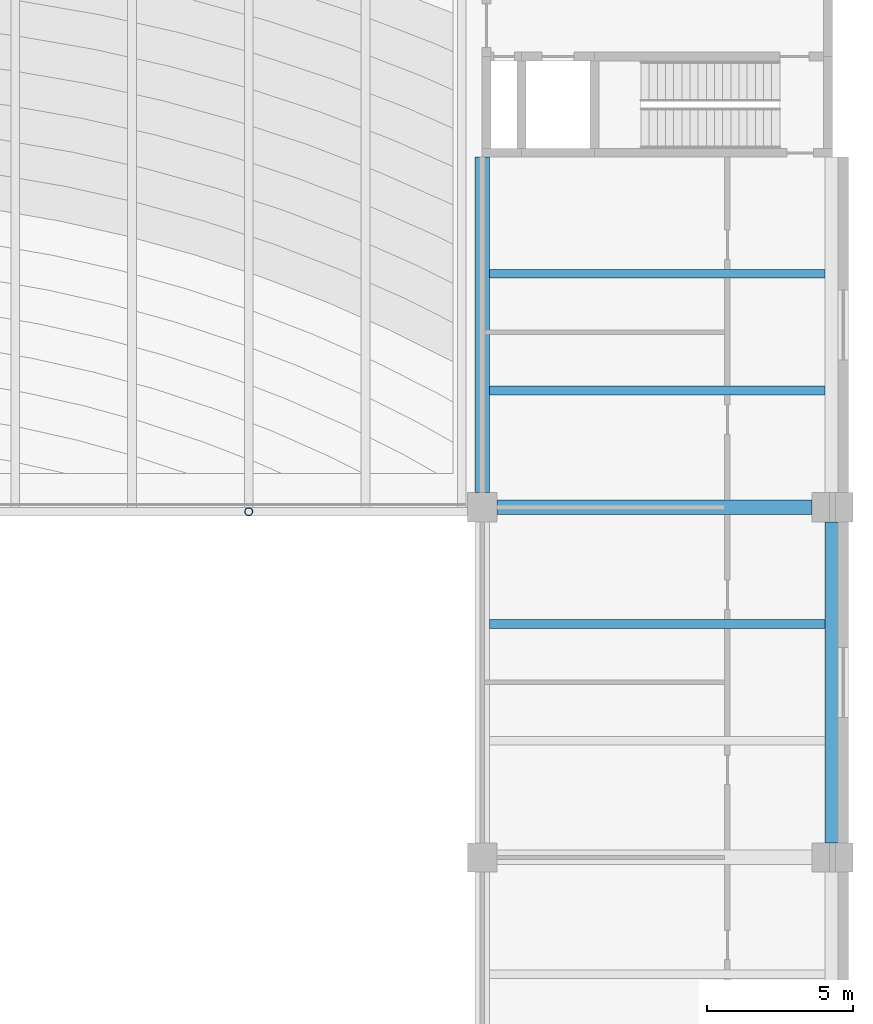
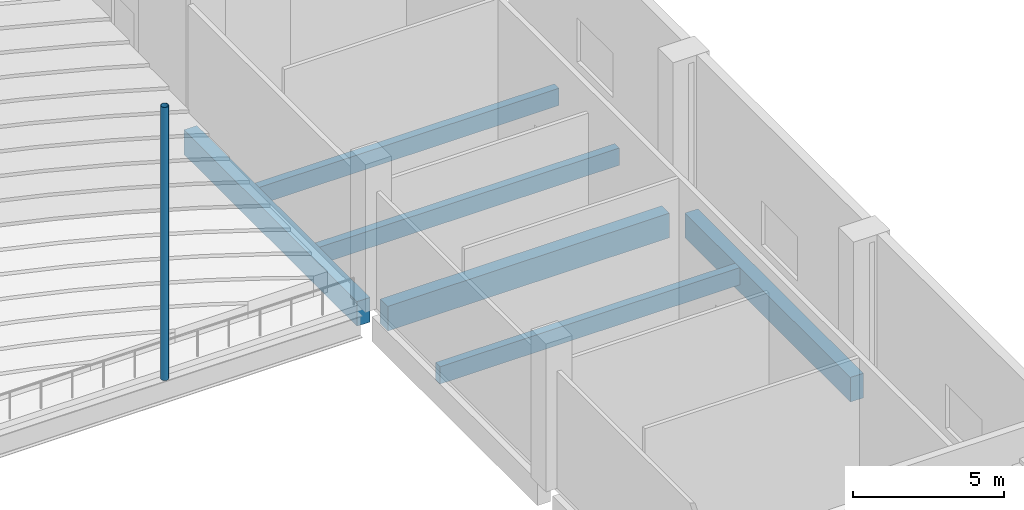
# One storey, part 25 of 72: 6 beams, 1 member.
"""IFC4 building model written with IfcOpenShell, lengths in metres."""

import ifcopenshell
import ifcopenshell.guid

model = None  # the IFC model being written
_history = None  # IfcOwnerHistory: only IFC2X3 demands one
_inside = {}  # id of a spatial element -> (the spatial element, [elements in it])
_under = {}  # id of a project, library or spatial element -> (it, [spatial elements below it])
_declared = {}  # id of a project -> (the project, [libraries it declares])
_typed = {}  # id of a type object -> (the type object, [elements of that type])
_made_of = {}  # id of a material, layer set ... -> (it, [elements and type objects made of it])


def new_model(schema):
    """Start an empty IFC model of exactly this schema.

    Asked for "IFC4X3", IfcOpenShell would pick the latest addendum, in which some entities
    have other attributes; the version numbers below select the first issue.
    IFC2X3 requires an IfcOwnerHistory on every rooted entity: one is made here for all.
    """
    global model, _history
    if schema == "IFC4X3":
        model = ifcopenshell.file(schema_version=(4, 3, 0, 0))
    else:
        model = ifcopenshell.file(schema=schema)
    _inside.clear()
    _under.clear()
    _declared.clear()
    _typed.clear()
    _made_of.clear()
    _history = None
    if model.schema == "IFC2X3":
        org = make("IfcOrganization", Name="unknown")
        user = make(
            "IfcPersonAndOrganization",
            ThePerson=make("IfcPerson", FamilyName="unknown"),
            TheOrganization=org,
        )
        app = make(
            "IfcApplication",
            ApplicationDeveloper=org,
            Version="unknown",
            ApplicationFullName="unknown",
            ApplicationIdentifier="unknown",
        )
        _history = make(
            "IfcOwnerHistory",
            OwningUser=user,
            OwningApplication=app,
            ChangeAction="ADDED",
            CreationDate=0,
        )
    return model


def make(cls, **values):
    """One entity of the class cls with the attributes given. An attribute that is None is left unset."""
    return model.create_entity(
        cls, **{name: value for name, value in values.items() if value is not None}
    )


def rooted(cls, **values):
    """An entity with a GlobalId (a new one), such as an element, a storey or a relation."""
    return make(cls, GlobalId=ifcopenshell.guid.new(), OwnerHistory=_history, **values)


def si_unit(unit_type, name, prefix=None):
    """IfcSIUnit, for example si_unit("LENGTHUNIT", "METRE", prefix="MILLI")."""
    return make("IfcSIUnit", UnitType=unit_type, Prefix=prefix, Name=name)


def assignment(units):
    """IfcUnitAssignment: the units of a project."""
    return None if units is None else make("IfcUnitAssignment", Units=units)


def point(xyz):
    """IfcCartesianPoint."""
    return None if xyz is None else make("IfcCartesianPoint", Coordinates=xyz)


def direction(xyz):
    """IfcDirection."""
    return None if xyz is None else make("IfcDirection", DirectionRatios=xyz)


def frame(location, z_axis=None, x_axis=None):
    """IfcAxis2Placement3D, a coordinate frame: its origin and axes. An axis left out is left unset."""
    return make(
        "IfcAxis2Placement3D",
        Location=point(location),
        Axis=direction(z_axis),
        RefDirection=direction(x_axis),
    )


def frame_2d(location, x_axis=None):
    """IfcAxis2Placement2D, a coordinate frame in the plane: its origin and x axis."""
    return make(
        "IfcAxis2Placement2D", Location=point(location), RefDirection=direction(x_axis)
    )


def origin():
    """The frame at (0, 0, 0) with its axes left unset."""
    return frame((0.0, 0.0, 0.0))


def origin_2d():
    """The frame at (0, 0) in the plane with its x axis left unset."""
    return frame_2d((0.0, 0.0))


def place(relative_to, where):
    """IfcLocalPlacement: puts the frame where relative to a parent placement (None: the world)."""
    return make(
        "IfcLocalPlacement", PlacementRelTo=relative_to, RelativePlacement=where
    )


def context(
    kind, dimensions, precision=None, world=None, true_north=None, identifier=None
):
    """IfcGeometricRepresentationContext, for example the 3D "Model" context."""
    return make(
        "IfcGeometricRepresentationContext",
        ContextIdentifier=identifier,
        ContextType=kind,
        CoordinateSpaceDimension=dimensions,
        Precision=precision,
        WorldCoordinateSystem=world,
        TrueNorth=true_north,
    )


def subcontext(parent, identifier, kind, view, scale=None):
    """IfcGeometricRepresentationSubContext, for example "Body" below "Model"."""
    return make(
        "IfcGeometricRepresentationSubContext",
        ContextIdentifier=identifier,
        ContextType=kind,
        ParentContext=parent,
        TargetScale=scale,
        TargetView=view,
    )


def project(units=None, contexts=None):
    """IfcProject with its units and contexts."""
    return rooted(
        "IfcProject",
        Name="project",
        RepresentationContexts=contexts,
        UnitsInContext=assignment(units),
    )


def spatial(cls, under=None, at=None, **own):
    """A site, building, storey or space (cls), placed at a placement, below another one or the project."""
    s = rooted(cls, ObjectPlacement=at, **own)
    if under is not None:
        _under.setdefault(under.id(), (under, []))[1].append(s)
    return s


def profile(cls, at=None, kind="AREA", **sizes):
    """A parametric profile (cls). Its sizes go by their IFC names, for example OverallWidth=200.0."""
    return make(cls, ProfileType=kind, Position=at, **sizes)


def rectangle(**sizes):
    """IfcRectangleProfileDef."""
    return profile("IfcRectangleProfileDef", **sizes)


def hollow_circle(**sizes):
    """IfcCircleHollowProfileDef."""
    return profile("IfcCircleHollowProfileDef", **sizes)


def extrude(swept, where, along, depth):
    """IfcExtrudedAreaSolid: the profile swept, set in the frame where, extruded along a direction by depth."""
    return make(
        "IfcExtrudedAreaSolid",
        SweptArea=swept,
        Position=where,
        ExtrudedDirection=direction(along),
        Depth=depth,
    )


def shape(context_of_items, identifier, shape_type, items):
    """IfcShapeRepresentation: the items that make up one representation, for example the "Body"."""
    return make(
        "IfcShapeRepresentation",
        ContextOfItems=context_of_items,
        RepresentationIdentifier=identifier,
        RepresentationType=shape_type,
        Items=items,
    )


def material(Name=None, Category=None):
    """IfcMaterial."""
    return make("IfcMaterial", Name=Name, Category=Category)


def material_profile(
    of_material, cross_section, Name=None, Category=None, Priority=None
):
    """IfcMaterialProfile: a cross section and its material."""
    return make(
        "IfcMaterialProfile",
        Name=Name,
        Material=of_material,
        Profile=cross_section,
        Priority=Priority,
        Category=Category,
    )


def profile_set(profiles, Name=None, composite=None):
    """IfcMaterialProfileSet."""
    return make(
        "IfcMaterialProfileSet",
        Name=Name,
        MaterialProfiles=profiles,
        CompositeProfile=composite,
    )


def made_of(thing, what):
    """Note that an element or type object is made of a material, layer set ...; save() writes the relation."""
    if what is not None:
        _made_of.setdefault(what.id(), (what, []))[1].append(thing)
    return thing


def type_object(cls, material=None, **own):
    """A type object (cls), such as IfcWallType, which elements share."""
    return made_of(rooted(cls, **own), material)


def element(
    cls,
    number,
    at=None,
    inside=None,
    cuts=None,
    type_object=None,
    material=None,
    context=None,
    identifier="Body",
    shape_type=None,
    held_by="IfcProductDefinitionShape",
    body=None,
    shapes=None,
    **own,
):
    """One element of the class cls, such as IfcWall. Its Tag is "e" and its number.

    at: its placement. inside: the storey or other place that contains it. cuts: it is an
    opening in that element (IfcRelVoidsElement). A single representation is given by context,
    identifier, shape_type and body (its items); several are given by shapes. held_by: the class
    of the entity that holds the representations. save() writes the other relations.
    """
    e = rooted(cls, Tag="e%d" % number, ObjectPlacement=at, **own)
    if body is not None:
        shapes = [shape(context, identifier, shape_type, body)]
    if shapes is not None:
        e.Representation = make(held_by, Representations=shapes)
    if inside is not None:
        _inside.setdefault(inside.id(), (inside, []))[1].append(e)
    if cuts is not None:
        rooted(
            "IfcRelVoidsElement", RelatingBuildingElement=cuts, RelatedOpeningElement=e
        )
    if type_object is not None:
        _typed.setdefault(type_object.id(), (type_object, []))[1].append(e)
    return made_of(e, material)


def aggregate(whole, parts):
    """IfcRelAggregates: a whole, such as a stair, and the parts it consists of."""
    return rooted("IfcRelAggregates", RelatingObject=whole, RelatedObjects=parts)


def save(model, path):
    """Write the relations noted so far, then the file.

    IfcRelAggregates (storeys below a building ...), IfcRelContainedInSpatialStructure (elements
    in a storey), IfcRelDefinesByType, IfcRelAssociatesMaterial and IfcRelDeclares: one each for
    every whole, place, type object, material and project.
    """
    for whole, parts in _under.values():
        aggregate(whole, parts)
    for where, things in _inside.values():
        rooted(
            "IfcRelContainedInSpatialStructure",
            RelatedElements=things,
            RelatingStructure=where,
        )
    for kind, things in _typed.values():
        rooted("IfcRelDefinesByType", RelatedObjects=things, RelatingType=kind)
    for what, things in _made_of.values():
        rooted("IfcRelAssociatesMaterial", RelatedObjects=things, RelatingMaterial=what)
    for by, libraries in _declared.values():
        rooted("IfcRelDeclares", RelatingContext=by, RelatedDefinitions=libraries)
    model.write(path)


model = new_model("IFC4")

# Units and contexts
model_context = context("Model", 3, precision=1e-05, world=origin(), true_north=direction((0.0, 1.0)))
body_context = subcontext(model_context, "Body", "Model", "MODEL_VIEW")
ifc_project = project(units=[si_unit("LENGTHUNIT", "METRE"), si_unit("AREAUNIT", "SQUARE_METRE"), si_unit("VOLUMEUNIT", "CUBIC_METRE"), si_unit("PLANEANGLEUNIT", "RADIAN"), si_unit("MASSUNIT", "GRAM", prefix="KILO")], contexts=[model_context])

# Site, building, storey
site_placement = place(None, origin())
site = spatial("IfcSite", under=ifc_project, at=site_placement, CompositionType="ELEMENT")
building_placement = place(site_placement, origin())
building = spatial("IfcBuilding", under=site, at=building_placement, Name="Lilac Gate Convention Centre", CompositionType="ELEMENT")
storey_placement = place(building_placement, frame((0.0, 0.0, 6.0)))
storey = spatial("IfcBuildingStorey", under=building, at=storey_placement, Name="L01", CompositionType="ELEMENT", Elevation=6.0)

# Member
ifc_material_1 = material(Name="Steel Q355B", Category="steel")
ifc_material_profile_1 = material_profile(ifc_material_1, hollow_circle(Radius=0.136474609375, WallThickness=0.011962890625, at=origin_2d()), Name="CHS273x12")
ifc_profile_set_1 = profile_set([ifc_material_profile_1], Name="Steel Q355B")
member_type = type_object("IfcMemberType", Name="Balcony hanger CHS273x12", PredefinedType="STRUT", material=ifc_profile_set_1)
member_placement = place(storey_placement, frame((70.0, 137.85009765625, -0.25), z_axis=(0.0, 0.0, 1.0), x_axis=(1.0, 0.0, 0.0)))
element("IfcMember", 1, at=member_placement, inside=storey, type_object=member_type, Name="HG1 L01 balcony hanger 4", PredefinedType="STRUT", context=body_context, shape_type="SweptSolid", body=[
    extrude(hollow_circle(Radius=0.136474609375, WallThickness=0.011962890625, at=origin_2d()), origin(), (0.0, 0.0, 1.0), 11.074951171875),
])

# Beams
ifc_material_2 = material(Name="Concrete C40", Category="concrete")
ifc_material_profile_2 = material_profile(ifc_material_2, rectangle(XDim=0.5, YDim=1.0, at=origin_2d()), Name="RC 500x1000")
ifc_profile_set_2 = profile_set([ifc_material_profile_2], Name="Concrete C40")
beam_type_1 = type_object("IfcBeamType", Name="Primary beam 500x1000 C40", PredefinedType="BEAM", material=ifc_profile_set_2)
beam_1_placement = place(storey_placement, frame((78.5, 138.0, -0.75), z_axis=(1.0, 0.0, 0.0), x_axis=(0.0, 1.0, 0.0)))
element("IfcBeam", 2, at=beam_1_placement, inside=storey, type_object=beam_type_1, Name="RB1 L01 7/K-8/K", PredefinedType="BEAM", context=body_context, shape_type="SweptSolid", body=[
    extrude(rectangle(XDim=0.5, YDim=1.0, at=origin_2d()), origin(), (0.0, 0.0, 1.0), 10.800048828125),
])
beam_2_placement = place(storey_placement, frame((78.0, 138.5, -0.75), z_axis=(0.0, 1.0, 0.0), x_axis=(-1.0, 0.0, 0.0)))
element("IfcBeam", 3, at=beam_2_placement, inside=storey, type_object=beam_type_1, Name="RB1 L01 7/K-7/L", PredefinedType="BEAM", context=body_context, shape_type="SweptSolid", body=[
    extrude(rectangle(XDim=0.5, YDim=1.0, at=origin_2d()), origin(), (0.0, 0.0, 1.0), 11.5),
])
beam_3_placement = place(storey_placement, frame((90.0, 126.5, -0.75), z_axis=(0.0, 1.0, 0.0), x_axis=(-1.0, 0.0, 0.0)))
element("IfcBeam", 4, at=beam_3_placement, inside=storey, type_object=beam_type_1, Name="RB1 L01 8/J-8/K", PredefinedType="BEAM", context=body_context, shape_type="SweptSolid", body=[
    extrude(rectangle(XDim=0.5, YDim=1.0, at=origin_2d()), origin(), (0.0, 0.0, 1.0), 11.0),
])
ifc_material_profile_3 = material_profile(ifc_material_2, rectangle(XDim=0.300048828125, YDim=0.699951171875, at=origin_2d()), Name="RC 300x700")
ifc_profile_set_3 = profile_set([ifc_material_profile_3], Name="Concrete C40")
beam_type_2 = type_object("IfcBeamType", Name="Secondary beam 300x700 C40", PredefinedType="BEAM", material=ifc_profile_set_3)
for number, where, z_axis, x_axis, name in (
    (5, (78.25, 134.0, -0.60009765625), (1.0, 0.0, 0.0), (0.0, 1.0, 0.0), "RB2 L01 bay 7/J"),
    (6, (78.25, 142.0, -0.60009765625), (1.0, 0.0, 0.0), (0.0, 1.0, 0.0), "RB2 L01 bay 7/K"),
    (7, (78.25, 146.0, -0.60009765625), (1.0, 0.0, 0.0), (0.0, 1.0, 0.0), "RB2 L01 bay 7/K"),
):
    element("IfcBeam", number, at=place(storey_placement, frame(where, z_axis=z_axis, x_axis=x_axis)), inside=storey, type_object=beam_type_2, Name=name, PredefinedType="BEAM", context=body_context, shape_type="SweptSolid", body=[
        extrude(rectangle(XDim=0.300048828125, YDim=0.699951171875, at=origin_2d()), origin(), (0.0, 0.0, 1.0), 11.5),
    ])

save(model, "model.ifc")
